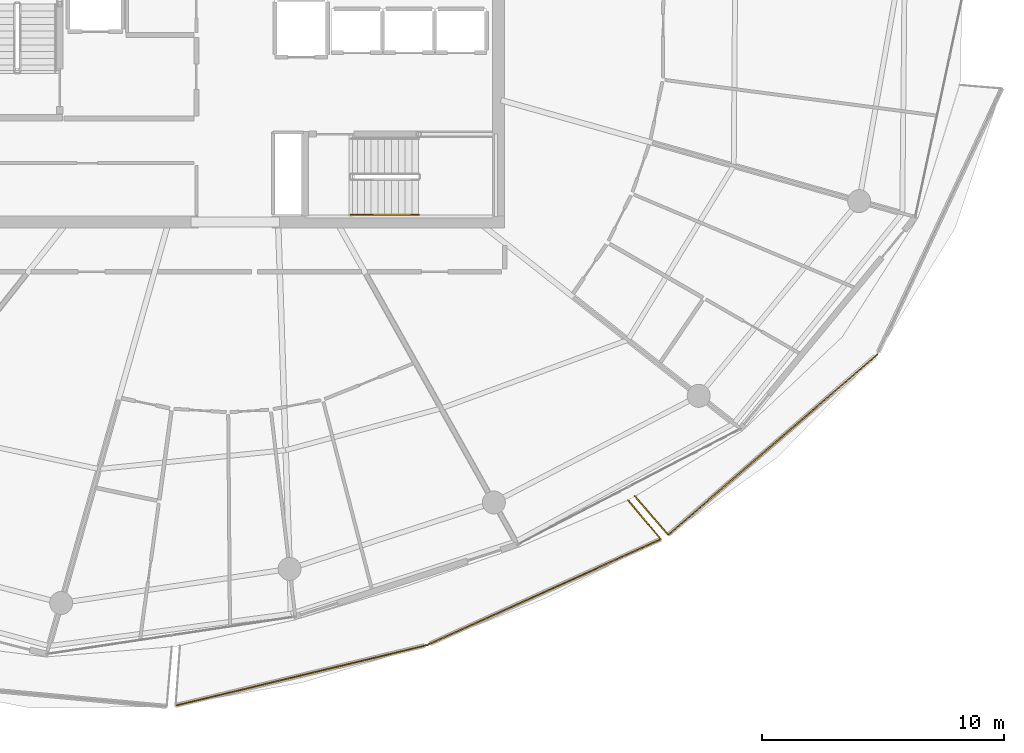
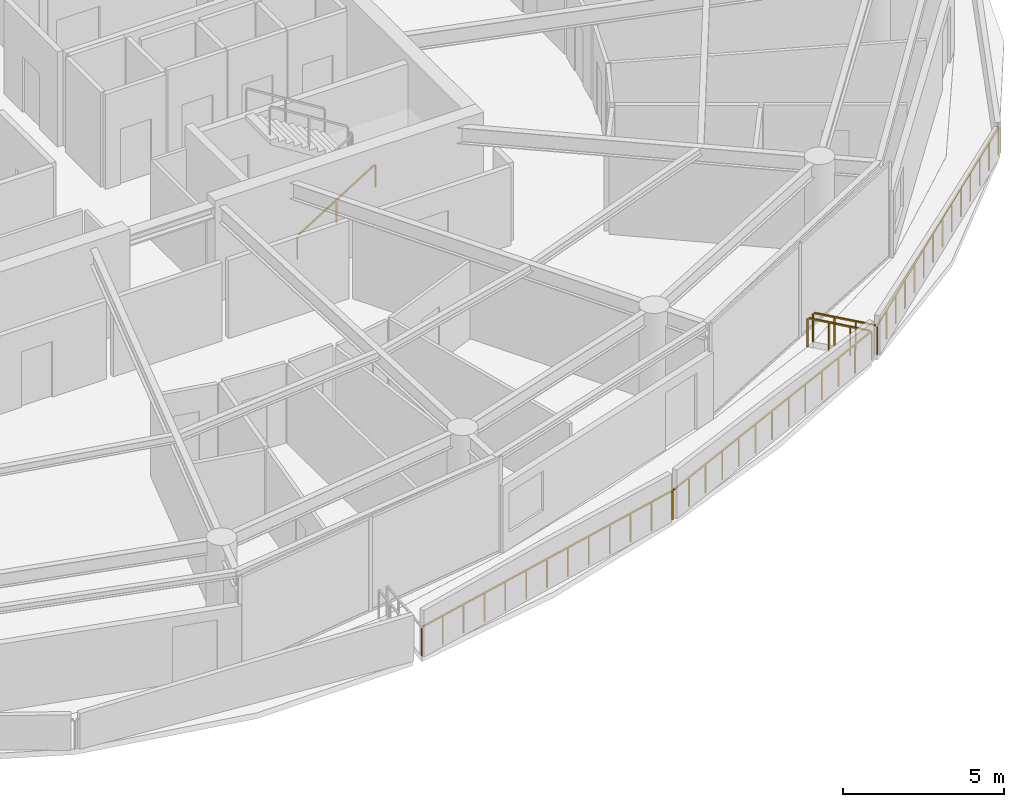
# One storey, part 26 of 30: 6 railings.
"""IFC4 building model written with IfcOpenShell, lengths in metres."""

from ifc_helpers import new_model, si_unit, direction, frame, origin, origin_2d, place, context, subcontext, project, spatial, rectangle, extrude, material, type_object, element, save


model = new_model("IFC4")

# Units and contexts
model_context = context("Model", 3, precision=1e-05, world=origin(), true_north=direction((0.0, 1.0)))
body_context = subcontext(model_context, "Body", "Model", "MODEL_VIEW")
ifc_project = project(units=[si_unit("LENGTHUNIT", "METRE"), si_unit("AREAUNIT", "SQUARE_METRE"), si_unit("VOLUMEUNIT", "CUBIC_METRE"), si_unit("PLANEANGLEUNIT", "RADIAN"), si_unit("MASSUNIT", "GRAM", prefix="KILO")], contexts=[model_context])

# Site, building, storey
site_placement = place(None, origin())
site = spatial("IfcSite", under=ifc_project, at=site_placement, CompositionType="ELEMENT")
building_placement = place(site_placement, origin())
building = spatial("IfcBuilding", under=site, at=building_placement, Name="Kazma Halo Residences", CompositionType="ELEMENT")
storey_placement = place(building_placement, frame((0.0, 0.0, 294.449951171875)))
storey = spatial("IfcBuildingStorey", under=building, at=storey_placement, Name="L74", CompositionType="ELEMENT", Elevation=294.449951171875)

# Railings
ifc_material_1 = material(Name="Aluminium AW-6063 T6 Brushed Cap Rail", Category="aluminium")
railing_type_1 = type_object("IfcRailingType", Name="RLG-BAL-CAP-1120", PredefinedType="BALUSTRADE", material=ifc_material_1)
railing_1_placement = place(storey_placement, frame((45.952392578125, 13.780517578125, 0.0)))
element("IfcRailing", 1, at=railing_1_placement, inside=storey, type_object=railing_type_1, Name="L74 SSE wave balcony guard 2", PredefinedType="BALUSTRADE", context=body_context, shape_type="SweptSolid", body=[
    extrude(rectangle(XDim=0.050048828125, YDim=0.050048828125, at=origin_2d()), frame((0.041259765625, 0.010009765625, 1.09521484375), z_axis=(0.972324307013, 0.233635275573, 0.0), x_axis=(-0.233635275573, 0.972324307013, 0.0)), (0.0, 0.0, 1.0), 10.615234375),
    extrude(rectangle(XDim=0.0400390625, YDim=0.0400390625, at=origin_2d()), origin(), (0.0, 0.0, 1.0), 1.05810546875),
    extrude(rectangle(XDim=0.0400390625, YDim=0.0400390625, at=origin_2d()), frame((0.866943359375, 0.208251953125, 0.0)), (0.0, 0.0, 1.0), 1.05810546875),
    extrude(rectangle(XDim=0.0400390625, YDim=0.0400390625, at=origin_2d()), frame((1.734130859375, 0.416748046875, 0.0)), (0.0, 0.0, 1.0), 1.05810546875),
    extrude(rectangle(XDim=0.0400390625, YDim=0.0400390625, at=origin_2d()), frame((2.60107421875, 0.625, 0.0)), (0.0, 0.0, 1.0), 1.05810546875),
    extrude(rectangle(XDim=0.0400390625, YDim=0.0400390625, at=origin_2d()), frame((3.468017578125, 0.833251953125, 0.0)), (0.0, 0.0, 1.0), 1.05810546875),
    extrude(rectangle(XDim=0.0400390625, YDim=0.0400390625, at=origin_2d()), frame((4.335205078125, 1.041748046875, 0.0)), (0.0, 0.0, 1.0), 1.05810546875),
    extrude(rectangle(XDim=0.0400390625, YDim=0.0400390625, at=origin_2d()), frame((5.2021484375, 1.25, 0.0)), (0.0, 0.0, 1.0), 1.05810546875),
    extrude(rectangle(XDim=0.0400390625, YDim=0.0400390625, at=origin_2d()), frame((6.069091796875, 1.458251953125, 0.0)), (0.0, 0.0, 1.0), 1.05810546875),
    extrude(rectangle(XDim=0.0400390625, YDim=0.0400390625, at=origin_2d()), frame((6.936279296875, 1.666748046875, 0.0)), (0.0, 0.0, 1.0), 1.05810546875),
    extrude(rectangle(XDim=0.0400390625, YDim=0.0400390625, at=origin_2d()), frame((7.80322265625, 1.875, 0.0)), (0.0, 0.0, 1.0), 1.05810546875),
    extrude(rectangle(XDim=0.0400390625, YDim=0.0400390625, at=origin_2d()), frame((8.670166015625, 2.083251953125, 0.0)), (0.0, 0.0, 1.0), 1.05810546875),
    extrude(rectangle(XDim=0.0400390625, YDim=0.0400390625, at=origin_2d()), frame((9.537353515625, 2.291748046875, 0.0)), (0.0, 0.0, 1.0), 1.05810546875),
    extrude(rectangle(XDim=0.0400390625, YDim=0.0400390625, at=origin_2d()), frame((10.404296875, 2.5, 0.0)), (0.0, 0.0, 1.0), 1.05810546875),
])
railing_2_placement = place(storey_placement, frame((56.356689453125, 16.280517578125, 0.0)))
element("IfcRailing", 2, at=railing_2_placement, inside=storey, type_object=railing_type_1, Name="L74 SSE wave balcony guard 3", PredefinedType="BALUSTRADE", context=body_context, shape_type="SweptSolid", body=[
    extrude(rectangle(XDim=0.050048828125, YDim=0.050048828125, at=origin_2d()), frame((0.038818359375, 0.017578125, 1.09521484375), z_axis=(0.910908594926, 0.412608206039, 0.0), x_axis=(-0.412608206039, 0.910908594926, 0.0)), (0.0, 0.0, 1.0), 10.510498046875),
    extrude(rectangle(XDim=0.0400390625, YDim=0.0400390625, at=origin_2d()), origin(), (0.0, 0.0, 1.0), 1.05810546875),
    extrude(rectangle(XDim=0.0400390625, YDim=0.0400390625, at=origin_2d()), frame((0.80419921875, 0.3642578125, 0.0)), (0.0, 0.0, 1.0), 1.05810546875),
    extrude(rectangle(XDim=0.0400390625, YDim=0.0400390625, at=origin_2d()), frame((1.608642578125, 0.728515625, 0.0)), (0.0, 0.0, 1.0), 1.05810546875),
    extrude(rectangle(XDim=0.0400390625, YDim=0.0400390625, at=origin_2d()), frame((2.412841796875, 1.093017578125, 0.0)), (0.0, 0.0, 1.0), 1.05810546875),
    extrude(rectangle(XDim=0.0400390625, YDim=0.0400390625, at=origin_2d()), frame((3.21728515625, 1.457275390625, 0.0)), (0.0, 0.0, 1.0), 1.05810546875),
    extrude(rectangle(XDim=0.0400390625, YDim=0.0400390625, at=origin_2d()), frame((4.021484375, 1.821533203125, 0.0)), (0.0, 0.0, 1.0), 1.05810546875),
    extrude(rectangle(XDim=0.0400390625, YDim=0.0400390625, at=origin_2d()), frame((4.82568359375, 2.18603515625, 0.0)), (0.0, 0.0, 1.0), 1.05810546875),
    extrude(rectangle(XDim=0.0400390625, YDim=0.0400390625, at=origin_2d()), frame((5.630126953125, 2.55029296875, 0.0)), (0.0, 0.0, 1.0), 1.05810546875),
    extrude(rectangle(XDim=0.0400390625, YDim=0.0400390625, at=origin_2d()), frame((6.434326171875, 2.91455078125, 0.0)), (0.0, 0.0, 1.0), 1.05810546875),
    extrude(rectangle(XDim=0.0400390625, YDim=0.0400390625, at=origin_2d()), frame((7.23876953125, 3.27880859375, 0.0)), (0.0, 0.0, 1.0), 1.05810546875),
    extrude(rectangle(XDim=0.0400390625, YDim=0.0400390625, at=origin_2d()), frame((8.04296875, 3.64306640625, 0.0)), (0.0, 0.0, 1.0), 1.05810546875),
    extrude(rectangle(XDim=0.0400390625, YDim=0.0400390625, at=origin_2d()), frame((8.847412109375, 4.007568359375, 0.0)), (0.0, 0.0, 1.0), 1.05810546875),
    extrude(rectangle(XDim=0.0400390625, YDim=0.0400390625, at=origin_2d()), frame((9.651611328125, 4.371826171875, 0.0)), (0.0, 0.0, 1.0), 1.05810546875),
])
railing_3_placement = place(storey_placement, frame((66.00830078125, 20.65234375, 0.0)))
element("IfcRailing", 3, at=railing_3_placement, inside=storey, type_object=railing_type_1, Name="L74 SSE wave balcony guard 4", PredefinedType="BALUSTRADE", context=body_context, shape_type="SweptSolid", body=[
    extrude(rectangle(XDim=0.050048828125, YDim=0.050048828125, at=origin_2d()), frame((-0.02734375, 0.032470703125, 1.09521484375), z_axis=(-0.64483932972, 0.764318152896, 0.0), x_axis=(-0.764318152896, -0.64483932972, 0.0)), (0.0, 0.0, 1.0), 2.02978515625),
    extrude(rectangle(XDim=0.0400390625, YDim=0.0400390625, at=origin_2d()), origin(), (0.0, 0.0, 1.0), 1.05810546875),
    extrude(rectangle(XDim=0.0400390625, YDim=0.0400390625, at=origin_2d()), frame((-0.45458984375, 0.538818359375, 0.0)), (0.0, 0.0, 1.0), 1.05810546875),
    extrude(rectangle(XDim=0.0400390625, YDim=0.0400390625, at=origin_2d()), frame((-0.9091796875, 1.07763671875, 0.0)), (0.0, 0.0, 1.0), 1.05810546875),
    extrude(rectangle(XDim=0.0400390625, YDim=0.0400390625, at=origin_2d()), frame((-1.36376953125, 1.616455078125, 0.0)), (0.0, 0.0, 1.0), 1.05810546875),
])
railing_4_placement = place(storey_placement, frame((64.93212890625, 22.41845703125, 0.0)))
element("IfcRailing", 4, at=railing_4_placement, inside=storey, type_object=railing_type_1, Name="L74 SE wave balcony guard 1", PredefinedType="BALUSTRADE", context=body_context, shape_type="SweptSolid", body=[
    extrude(rectangle(XDim=0.050048828125, YDim=0.050048828125, at=origin_2d()), frame((0.02783203125, -0.0322265625, 1.09521484375), z_axis=(0.654115991231, -0.756394255674, 0.0), x_axis=(0.756394255674, 0.654115991231, 0.0)), (0.0, 0.0, 1.0), 2.015380859375),
    extrude(rectangle(XDim=0.0400390625, YDim=0.0400390625, at=origin_2d()), origin(), (0.0, 0.0, 1.0), 1.05810546875),
    extrude(rectangle(XDim=0.0400390625, YDim=0.0400390625, at=origin_2d()), frame((0.4580078125, -0.529541015625, 0.0)), (0.0, 0.0, 1.0), 1.05810546875),
    extrude(rectangle(XDim=0.0400390625, YDim=0.0400390625, at=origin_2d()), frame((0.916015625, -1.059326171875, 0.0)), (0.0, 0.0, 1.0), 1.05810546875),
    extrude(rectangle(XDim=0.0400390625, YDim=0.0400390625, at=origin_2d()), frame((1.3740234375, -1.5888671875, 0.0)), (0.0, 0.0, 1.0), 1.05810546875),
])
railing_5_placement = place(storey_placement, frame((66.30615234375, 20.82958984375, 0.0)))
element("IfcRailing", 5, at=railing_5_placement, inside=storey, type_object=railing_type_1, Name="L74 SE wave balcony guard 2", PredefinedType="BALUSTRADE", context=body_context, shape_type="SweptSolid", body=[
    extrude(rectangle(XDim=0.050048828125, YDim=0.050048828125, at=origin_2d()), frame((0.0322265625, 0.02783203125, 1.09521484375), z_axis=(0.757187471417, 0.653197621803, 0.0), x_axis=(-0.653197621803, 0.757187471417, 0.0)), (0.0, 0.0, 1.0), 11.313232421875),
    extrude(rectangle(XDim=0.0400390625, YDim=0.0400390625, at=origin_2d()), origin(), (0.0, 0.0, 1.0), 1.05810546875),
    extrude(rectangle(XDim=0.0400390625, YDim=0.0400390625, at=origin_2d()), frame((0.663818359375, 0.57275390625, 0.0)), (0.0, 0.0, 1.0), 1.05810546875),
    extrude(rectangle(XDim=0.0400390625, YDim=0.0400390625, at=origin_2d()), frame((1.327880859375, 1.1455078125, 0.0)), (0.0, 0.0, 1.0), 1.05810546875),
    extrude(rectangle(XDim=0.0400390625, YDim=0.0400390625, at=origin_2d()), frame((1.99169921875, 1.71826171875, 0.0)), (0.0, 0.0, 1.0), 1.05810546875),
    extrude(rectangle(XDim=0.0400390625, YDim=0.0400390625, at=origin_2d()), frame((2.655517578125, 2.290771484375, 0.0)), (0.0, 0.0, 1.0), 1.05810546875),
    extrude(rectangle(XDim=0.0400390625, YDim=0.0400390625, at=origin_2d()), frame((3.319580078125, 2.863525390625, 0.0)), (0.0, 0.0, 1.0), 1.05810546875),
    extrude(rectangle(XDim=0.0400390625, YDim=0.0400390625, at=origin_2d()), frame((3.9833984375, 3.436279296875, 0.0)), (0.0, 0.0, 1.0), 1.05810546875),
    extrude(rectangle(XDim=0.0400390625, YDim=0.0400390625, at=origin_2d()), frame((4.647216796875, 4.009033203125, 0.0)), (0.0, 0.0, 1.0), 1.05810546875),
    extrude(rectangle(XDim=0.0400390625, YDim=0.0400390625, at=origin_2d()), frame((5.31103515625, 4.581787109375, 0.0)), (0.0, 0.0, 1.0), 1.05810546875),
    extrude(rectangle(XDim=0.0400390625, YDim=0.0400390625, at=origin_2d()), frame((5.97509765625, 5.154541015625, 0.0)), (0.0, 0.0, 1.0), 1.05810546875),
    extrude(rectangle(XDim=0.0400390625, YDim=0.0400390625, at=origin_2d()), frame((6.638916015625, 5.72705078125, 0.0)), (0.0, 0.0, 1.0), 1.05810546875),
    extrude(rectangle(XDim=0.0400390625, YDim=0.0400390625, at=origin_2d()), frame((7.302734375, 6.2998046875, 0.0)), (0.0, 0.0, 1.0), 1.05810546875),
    extrude(rectangle(XDim=0.0400390625, YDim=0.0400390625, at=origin_2d()), frame((7.966796875, 6.87255859375, 0.0)), (0.0, 0.0, 1.0), 1.05810546875),
    extrude(rectangle(XDim=0.0400390625, YDim=0.0400390625, at=origin_2d()), frame((8.630615234375, 7.4453125, 0.0)), (0.0, 0.0, 1.0), 1.05810546875),
])
ifc_material_2 = material(Name="Brushed Stainless Steel", Category="steel")
railing_type_2 = type_object("IfcRailingType", Name="RLG-STAIR-HND-900", PredefinedType="HANDRAIL", material=ifc_material_2)
railing_6_placement = place(storey_placement, frame((53.199951171875, 34.050048828125, 0.175048828125)))
element("IfcRailing", 6, at=railing_6_placement, inside=storey, type_object=railing_type_2, Name="L74 ST-03 stair handrail 1", PredefinedType="HANDRAIL", context=body_context, shape_type="SweptSolid", body=[
    extrude(rectangle(XDim=0.050048828125, YDim=0.050048828125, at=origin_2d()), frame((0.0361328125, 0.0, 0.8974609375), z_axis=(0.848002457836, 0.0, 0.529992293815), x_axis=(0.0, 1.0, 0.0)), (0.0, 0.0, 1.0), 3.216796875),
    extrude(rectangle(XDim=0.0400390625, YDim=0.0400390625, at=origin_2d()), origin(), (0.0, 0.0, 1.0), 0.837890625),
    extrude(rectangle(XDim=0.0400390625, YDim=0.0400390625, at=origin_2d()), frame((1.39990234375, 0.0, 0.875)), (0.0, 0.0, 1.0), 0.837890625),
    extrude(rectangle(XDim=0.0400390625, YDim=0.0400390625, at=origin_2d()), frame((2.800048828125, 0.0, 1.75)), (0.0, 0.0, 1.0), 0.837890625),
])

save(model, "model.ifc")
